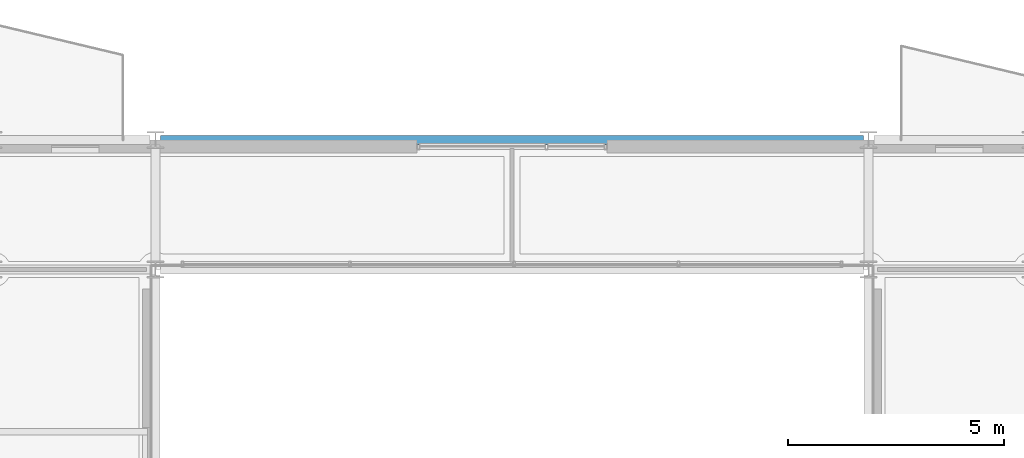
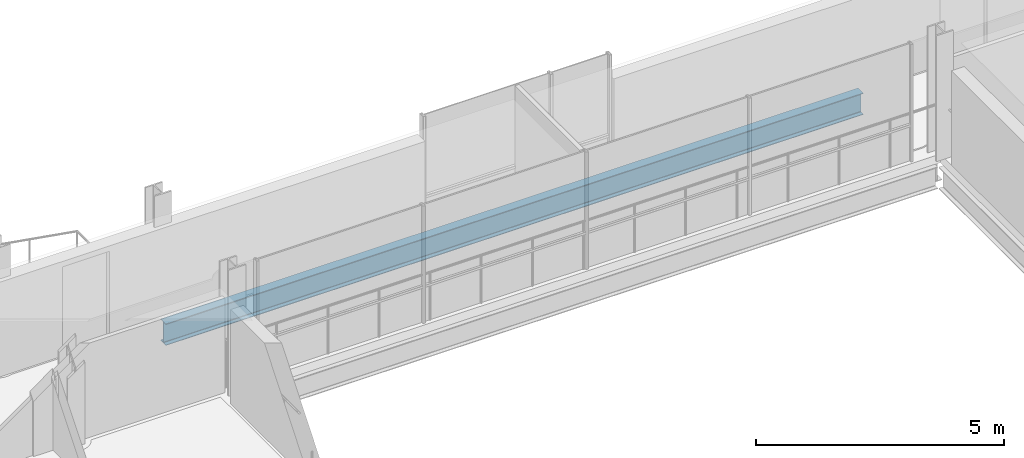
# One storey, part 13 of 35: 1 beam.
"""IFC4 building model written with IfcOpenShell, lengths in metres."""

from ifc_helpers import new_model, si_unit, direction, frame, origin, origin_2d, place, context, subcontext, project, spatial, i_section, extrude, material, material_profile, profile_set, type_object, element, save


model = new_model("IFC4")

# Units and contexts
model_context = context("Model", 3, precision=1e-05, world=origin(), true_north=direction((0.0, 1.0)))
body_context = subcontext(model_context, "Body", "Model", "MODEL_VIEW")
ifc_project = project(units=[si_unit("LENGTHUNIT", "METRE"), si_unit("AREAUNIT", "SQUARE_METRE"), si_unit("VOLUMEUNIT", "CUBIC_METRE"), si_unit("PLANEANGLEUNIT", "RADIAN"), si_unit("MASSUNIT", "GRAM", prefix="KILO")], contexts=[model_context])

# Site, building, storey
site_placement = place(None, origin())
site = spatial("IfcSite", under=ifc_project, at=site_placement, CompositionType="ELEMENT")
building_placement = place(site_placement, origin())
building = spatial("IfcBuilding", under=site, at=building_placement, Name="Brevholm Reach", CompositionType="ELEMENT")
storey_placement = place(building_placement, frame((0.0, 0.0, 183.199951171875)))
storey = spatial("IfcBuildingStorey", under=building, at=storey_placement, Name="L55", CompositionType="ELEMENT", Elevation=183.199951171875)

# Beam
ifc_material = material(Name="Structural Steel S355J2", Category="steel")
ifc_material_profile = material_profile(ifc_material, i_section(OverallWidth=0.209228515625, OverallDepth=0.533203125, WebThickness=0.010009765625, FlangeThickness=0.015625, FilletRadius=0.0126953125, at=origin_2d()), Name="UKB 533x210x92")
ifc_profile_set = profile_set([ifc_material_profile], Name="Structural Steel S355J2")
beam_type = type_object("IfcBeamType", Name="BM-SP533", PredefinedType="SPANDREL", material=ifc_profile_set)
beam_placement = place(storey_placement, frame((21.8701171875, 26.5, -0.4765625), z_axis=(1.0, 0.0, 0.0), x_axis=(0.0, 1.0, 0.0)))
element("IfcBeam", 1, at=beam_placement, inside=storey, type_object=beam_type, Name="L55 SP-02 Framing Beam", PredefinedType="SPANDREL", context=body_context, shape_type="SweptSolid", body=[
    extrude(i_section(OverallWidth=0.209228515625, OverallDepth=0.533203125, WebThickness=0.010009765625, FlangeThickness=0.015625, FilletRadius=0.0126953125, at=origin_2d()), origin(), (0.0, 0.0, 1.0), 16.259765625),
])

save(model, "model.ifc")
